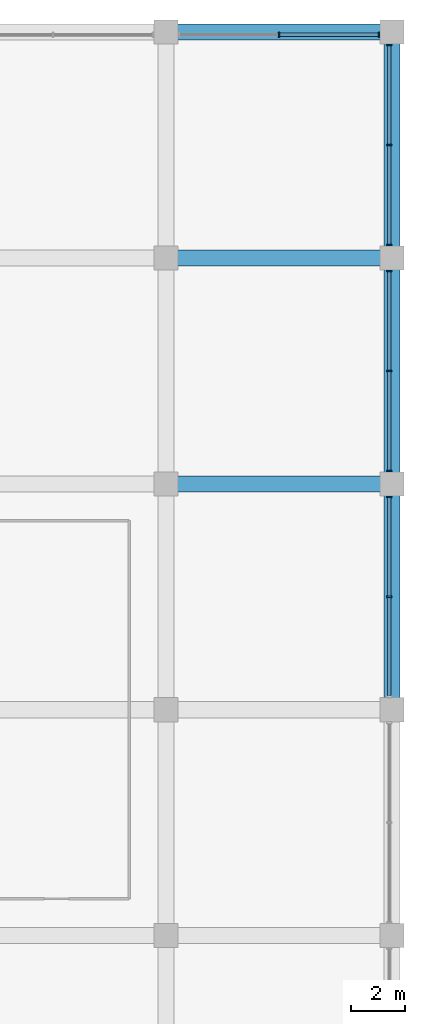
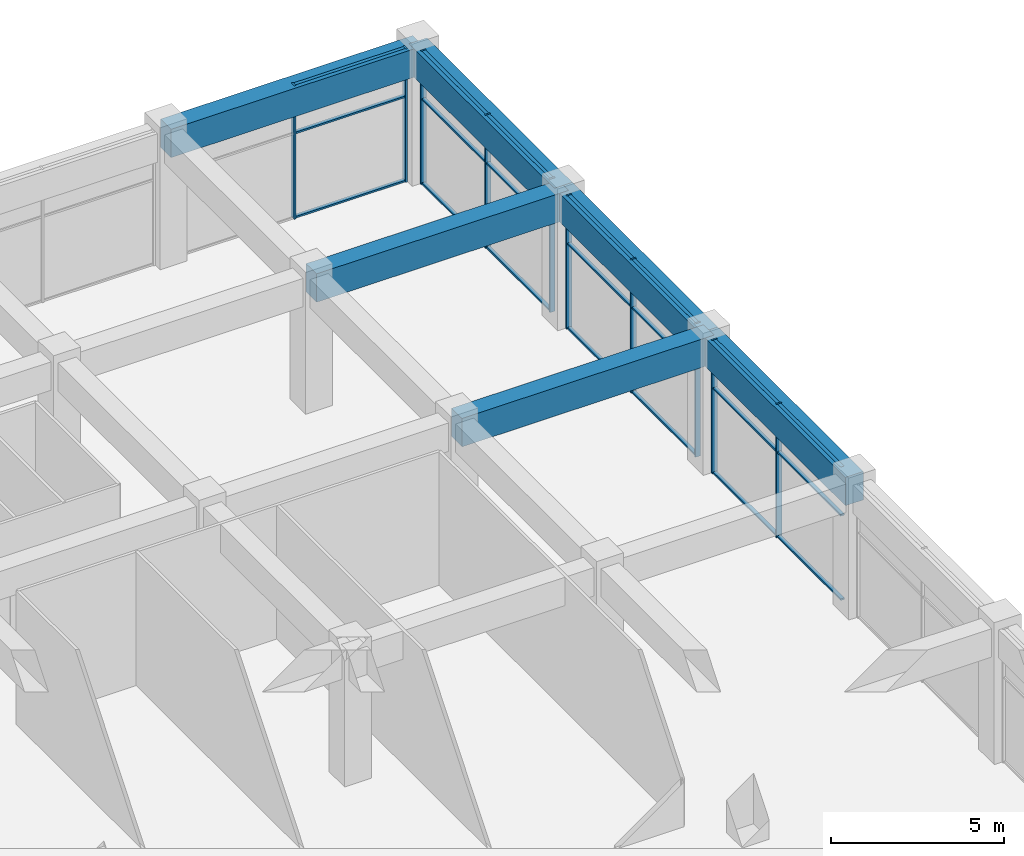
# One storey, part 23 of 36: 31 members, 6 beams, 4 elements without a shape of their own.
"""IFC4 building model written with IfcOpenShell, lengths in metres."""

import ifcopenshell
import ifcopenshell.guid

model = None  # the IFC model being written
_history = None  # IfcOwnerHistory: only IFC2X3 demands one
_inside = {}  # id of a spatial element -> (the spatial element, [elements in it])
_under = {}  # id of a project, library or spatial element -> (it, [spatial elements below it])
_declared = {}  # id of a project -> (the project, [libraries it declares])
_typed = {}  # id of a type object -> (the type object, [elements of that type])
_made_of = {}  # id of a material, layer set ... -> (it, [elements and type objects made of it])


def new_model(schema):
    """Start an empty IFC model of exactly this schema.

    Asked for "IFC4X3", IfcOpenShell would pick the latest addendum, in which some entities
    have other attributes; the version numbers below select the first issue.
    IFC2X3 requires an IfcOwnerHistory on every rooted entity: one is made here for all.
    """
    global model, _history
    if schema == "IFC4X3":
        model = ifcopenshell.file(schema_version=(4, 3, 0, 0))
    else:
        model = ifcopenshell.file(schema=schema)
    _inside.clear()
    _under.clear()
    _declared.clear()
    _typed.clear()
    _made_of.clear()
    _history = None
    if model.schema == "IFC2X3":
        org = make("IfcOrganization", Name="unknown")
        user = make(
            "IfcPersonAndOrganization",
            ThePerson=make("IfcPerson", FamilyName="unknown"),
            TheOrganization=org,
        )
        app = make(
            "IfcApplication",
            ApplicationDeveloper=org,
            Version="unknown",
            ApplicationFullName="unknown",
            ApplicationIdentifier="unknown",
        )
        _history = make(
            "IfcOwnerHistory",
            OwningUser=user,
            OwningApplication=app,
            ChangeAction="ADDED",
            CreationDate=0,
        )
    return model


def make(cls, **values):
    """One entity of the class cls with the attributes given. An attribute that is None is left unset."""
    return model.create_entity(
        cls, **{name: value for name, value in values.items() if value is not None}
    )


def rooted(cls, **values):
    """An entity with a GlobalId (a new one), such as an element, a storey or a relation."""
    return make(cls, GlobalId=ifcopenshell.guid.new(), OwnerHistory=_history, **values)


def si_unit(unit_type, name, prefix=None):
    """IfcSIUnit, for example si_unit("LENGTHUNIT", "METRE", prefix="MILLI")."""
    return make("IfcSIUnit", UnitType=unit_type, Prefix=prefix, Name=name)


def assignment(units):
    """IfcUnitAssignment: the units of a project."""
    return None if units is None else make("IfcUnitAssignment", Units=units)


def point(xyz):
    """IfcCartesianPoint."""
    return None if xyz is None else make("IfcCartesianPoint", Coordinates=xyz)


def direction(xyz):
    """IfcDirection."""
    return None if xyz is None else make("IfcDirection", DirectionRatios=xyz)


def frame(location, z_axis=None, x_axis=None):
    """IfcAxis2Placement3D, a coordinate frame: its origin and axes. An axis left out is left unset."""
    return make(
        "IfcAxis2Placement3D",
        Location=point(location),
        Axis=direction(z_axis),
        RefDirection=direction(x_axis),
    )


def frame_2d(location, x_axis=None):
    """IfcAxis2Placement2D, a coordinate frame in the plane: its origin and x axis."""
    return make(
        "IfcAxis2Placement2D", Location=point(location), RefDirection=direction(x_axis)
    )


def origin():
    """The frame at (0, 0, 0) with its axes left unset."""
    return frame((0.0, 0.0, 0.0))


def origin_2d():
    """The frame at (0, 0) in the plane with its x axis left unset."""
    return frame_2d((0.0, 0.0))


def place(relative_to, where):
    """IfcLocalPlacement: puts the frame where relative to a parent placement (None: the world)."""
    return make(
        "IfcLocalPlacement", PlacementRelTo=relative_to, RelativePlacement=where
    )


def context(
    kind, dimensions, precision=None, world=None, true_north=None, identifier=None
):
    """IfcGeometricRepresentationContext, for example the 3D "Model" context."""
    return make(
        "IfcGeometricRepresentationContext",
        ContextIdentifier=identifier,
        ContextType=kind,
        CoordinateSpaceDimension=dimensions,
        Precision=precision,
        WorldCoordinateSystem=world,
        TrueNorth=true_north,
    )


def subcontext(parent, identifier, kind, view, scale=None):
    """IfcGeometricRepresentationSubContext, for example "Body" below "Model"."""
    return make(
        "IfcGeometricRepresentationSubContext",
        ContextIdentifier=identifier,
        ContextType=kind,
        ParentContext=parent,
        TargetScale=scale,
        TargetView=view,
    )


def project(units=None, contexts=None):
    """IfcProject with its units and contexts."""
    return rooted(
        "IfcProject",
        Name="project",
        RepresentationContexts=contexts,
        UnitsInContext=assignment(units),
    )


def spatial(cls, under=None, at=None, **own):
    """A site, building, storey or space (cls), placed at a placement, below another one or the project."""
    s = rooted(cls, ObjectPlacement=at, **own)
    if under is not None:
        _under.setdefault(under.id(), (under, []))[1].append(s)
    return s


def profile(cls, at=None, kind="AREA", **sizes):
    """A parametric profile (cls). Its sizes go by their IFC names, for example OverallWidth=200.0."""
    return make(cls, ProfileType=kind, Position=at, **sizes)


def rectangle(**sizes):
    """IfcRectangleProfileDef."""
    return profile("IfcRectangleProfileDef", **sizes)


def extrude(swept, where, along, depth):
    """IfcExtrudedAreaSolid: the profile swept, set in the frame where, extruded along a direction by depth."""
    return make(
        "IfcExtrudedAreaSolid",
        SweptArea=swept,
        Position=where,
        ExtrudedDirection=direction(along),
        Depth=depth,
    )


def shape(context_of_items, identifier, shape_type, items):
    """IfcShapeRepresentation: the items that make up one representation, for example the "Body"."""
    return make(
        "IfcShapeRepresentation",
        ContextOfItems=context_of_items,
        RepresentationIdentifier=identifier,
        RepresentationType=shape_type,
        Items=items,
    )


def material(Name=None, Category=None):
    """IfcMaterial."""
    return make("IfcMaterial", Name=Name, Category=Category)


def material_profile(
    of_material, cross_section, Name=None, Category=None, Priority=None
):
    """IfcMaterialProfile: a cross section and its material."""
    return make(
        "IfcMaterialProfile",
        Name=Name,
        Material=of_material,
        Profile=cross_section,
        Priority=Priority,
        Category=Category,
    )


def profile_set(profiles, Name=None, composite=None):
    """IfcMaterialProfileSet."""
    return make(
        "IfcMaterialProfileSet",
        Name=Name,
        MaterialProfiles=profiles,
        CompositeProfile=composite,
    )


def made_of(thing, what):
    """Note that an element or type object is made of a material, layer set ...; save() writes the relation."""
    if what is not None:
        _made_of.setdefault(what.id(), (what, []))[1].append(thing)
    return thing


def type_object(cls, material=None, **own):
    """A type object (cls), such as IfcWallType, which elements share."""
    return made_of(rooted(cls, **own), material)


def element(
    cls,
    number,
    at=None,
    inside=None,
    cuts=None,
    type_object=None,
    material=None,
    context=None,
    identifier="Body",
    shape_type=None,
    held_by="IfcProductDefinitionShape",
    body=None,
    shapes=None,
    **own,
):
    """One element of the class cls, such as IfcWall. Its Tag is "e" and its number.

    at: its placement. inside: the storey or other place that contains it. cuts: it is an
    opening in that element (IfcRelVoidsElement). A single representation is given by context,
    identifier, shape_type and body (its items); several are given by shapes. held_by: the class
    of the entity that holds the representations. save() writes the other relations.
    """
    e = rooted(cls, Tag="e%d" % number, ObjectPlacement=at, **own)
    if body is not None:
        shapes = [shape(context, identifier, shape_type, body)]
    if shapes is not None:
        e.Representation = make(held_by, Representations=shapes)
    if inside is not None:
        _inside.setdefault(inside.id(), (inside, []))[1].append(e)
    if cuts is not None:
        rooted(
            "IfcRelVoidsElement", RelatingBuildingElement=cuts, RelatedOpeningElement=e
        )
    if type_object is not None:
        _typed.setdefault(type_object.id(), (type_object, []))[1].append(e)
    return made_of(e, material)


def aggregate(whole, parts):
    """IfcRelAggregates: a whole, such as a stair, and the parts it consists of."""
    return rooted("IfcRelAggregates", RelatingObject=whole, RelatedObjects=parts)


def save(model, path):
    """Write the relations noted so far, then the file.

    IfcRelAggregates (storeys below a building ...), IfcRelContainedInSpatialStructure (elements
    in a storey), IfcRelDefinesByType, IfcRelAssociatesMaterial and IfcRelDeclares: one each for
    every whole, place, type object, material and project.
    """
    for whole, parts in _under.values():
        aggregate(whole, parts)
    for where, things in _inside.values():
        rooted(
            "IfcRelContainedInSpatialStructure",
            RelatedElements=things,
            RelatingStructure=where,
        )
    for kind, things in _typed.values():
        rooted("IfcRelDefinesByType", RelatedObjects=things, RelatingType=kind)
    for what, things in _made_of.values():
        rooted("IfcRelAssociatesMaterial", RelatedObjects=things, RelatingMaterial=what)
    for by, libraries in _declared.values():
        rooted("IfcRelDeclares", RelatingContext=by, RelatedDefinitions=libraries)
    model.write(path)


model = new_model("IFC4")

# Units and contexts
model_context = context("Model", 3, precision=1e-05, world=origin(), true_north=direction((0.0, 1.0)))
body_context = subcontext(model_context, "Body", "Model", "MODEL_VIEW")
ifc_project = project(units=[si_unit("LENGTHUNIT", "METRE"), si_unit("AREAUNIT", "SQUARE_METRE"), si_unit("VOLUMEUNIT", "CUBIC_METRE"), si_unit("PLANEANGLEUNIT", "RADIAN"), si_unit("MASSUNIT", "GRAM", prefix="KILO")], contexts=[model_context])

# Site, building, storey
site_placement = place(None, origin())
site = spatial("IfcSite", under=ifc_project, at=site_placement, CompositionType="ELEMENT")
building_placement = place(site_placement, origin())
building = spatial("IfcBuilding", under=site, at=building_placement, Name="Impinga Residences", CompositionType="ELEMENT")
storey_placement = place(building_placement, frame((0.0, 0.0, 6.0)))
storey = spatial("IfcBuildingStorey", under=building, at=storey_placement, Name="L01", CompositionType="ELEMENT", Elevation=6.0)

# Curtain wall, members
ifc_material_1 = material(Name="Aluminium stick curtain wall", Category="aluminium")
curtain_wall_type = type_object("IfcCurtainWallType", Name="CW1 podium amenity curtain wall", PredefinedType="USERDEFINED", material=ifc_material_1)
curtain_wall_1_placement = place(storey_placement, origin())
curtain_wall_1 = element("IfcCurtainWall", 1, at=curtain_wall_1_placement, inside=storey, type_object=curtain_wall_type, Name="Curtain wall CW1 L01", ObjectType="STICK CURTAIN WALL", PredefinedType="USERDEFINED")
ifc_material_2 = material(Name="Aluminium mullion", Category="aluminium")
ifc_material_profile_1 = material_profile(ifc_material_2, rectangle(XDim=0.06005859375, YDim=0.179931640625, at=origin_2d()), Name="60x180 mullion")
ifc_profile_set_1 = profile_set([ifc_material_profile_1], Name="Aluminium mullion")
member_type_1 = type_object("IfcMemberType", Name="CW1-M mullion 60x180", PredefinedType="MULLION", material=ifc_profile_set_1)
member_1_placement = place(storey_placement, frame((46.199951171875, 50.300048828125, 0.0), z_axis=(0.0, 0.0, 1.0), x_axis=(1.0, 0.0, 0.0)))
member_1 = element("IfcMember", 2, at=member_1_placement, type_object=member_type_1, Name="CW1 mullion 2", PredefinedType="MULLION", context=body_context, shape_type="SweptSolid", body=[
    extrude(rectangle(XDim=0.06005859375, YDim=0.179931640625, at=origin_2d()), origin(), (0.0, 0.0, 1.0), 4.699951171875),
])
member_2_placement = place(storey_placement, frame((49.9169921875, 50.300048828125, 0.0), z_axis=(0.0, 0.0, 1.0), x_axis=(1.0, 0.0, 0.0)))
member_2 = element("IfcMember", 3, at=member_2_placement, type_object=member_type_1, Name="CW1 mullion 3", PredefinedType="MULLION", context=body_context, shape_type="SweptSolid", body=[
    extrude(rectangle(XDim=0.06005859375, YDim=0.179931640625, at=origin_2d()), origin(), (0.0, 0.0, 1.0), 4.699951171875),
])

curtain_wall_2_placement = place(storey_placement, origin())
curtain_wall_2 = element("IfcCurtainWall", 4, at=curtain_wall_2_placement, inside=storey, type_object=curtain_wall_type, Name="Curtain wall CW1 L01", ObjectType="STICK CURTAIN WALL", PredefinedType="USERDEFINED")
member_3_placement = place(storey_placement, frame((50.300048828125, 49.9169921875, 0.0), z_axis=(0.0, 0.0, 1.0), x_axis=(0.0, -1.0, 0.0)))
member_3 = element("IfcMember", 5, at=member_3_placement, type_object=member_type_1, Name="CW1 mullion 1", PredefinedType="MULLION", context=body_context, shape_type="SweptSolid", body=[
    extrude(rectangle(XDim=0.06005859375, YDim=0.179931640625, at=origin_2d()), origin(), (0.0, 0.0, 1.0), 4.699951171875),
])
member_4_placement = place(storey_placement, frame((50.300048828125, 46.199951171875, 0.0), z_axis=(0.0, 0.0, 1.0), x_axis=(0.0, -1.0, 0.0)))
member_4 = element("IfcMember", 6, at=member_4_placement, type_object=member_type_1, Name="CW1 mullion 2", PredefinedType="MULLION", context=body_context, shape_type="SweptSolid", body=[
    extrude(rectangle(XDim=0.06005859375, YDim=0.179931640625, at=origin_2d()), origin(), (0.0, 0.0, 1.0), 4.699951171875),
])
member_5_placement = place(storey_placement, frame((50.300048828125, 42.48291015625, 0.0), z_axis=(0.0, 0.0, 1.0), x_axis=(0.0, -1.0, 0.0)))
member_5 = element("IfcMember", 7, at=member_5_placement, type_object=member_type_1, Name="CW1 mullion 3", PredefinedType="MULLION", context=body_context, shape_type="SweptSolid", body=[
    extrude(rectangle(XDim=0.06005859375, YDim=0.179931640625, at=origin_2d()), origin(), (0.0, 0.0, 1.0), 4.699951171875),
])

curtain_wall_3_placement = place(storey_placement, origin())
curtain_wall_3 = element("IfcCurtainWall", 8, at=curtain_wall_3_placement, inside=storey, type_object=curtain_wall_type, Name="Curtain wall CW1 L01", ObjectType="STICK CURTAIN WALL", PredefinedType="USERDEFINED")
member_6_placement = place(storey_placement, frame((50.300048828125, 41.51708984375, 0.0), z_axis=(0.0, 0.0, 1.0), x_axis=(0.0, -1.0, 0.0)))
member_6 = element("IfcMember", 9, at=member_6_placement, type_object=member_type_1, Name="CW1 mullion 1", PredefinedType="MULLION", context=body_context, shape_type="SweptSolid", body=[
    extrude(rectangle(XDim=0.06005859375, YDim=0.179931640625, at=origin_2d()), origin(), (0.0, 0.0, 1.0), 4.699951171875),
])
member_7_placement = place(storey_placement, frame((50.300048828125, 37.800048828125, 0.0), z_axis=(0.0, 0.0, 1.0), x_axis=(0.0, -1.0, 0.0)))
member_7 = element("IfcMember", 10, at=member_7_placement, type_object=member_type_1, Name="CW1 mullion 2", PredefinedType="MULLION", context=body_context, shape_type="SweptSolid", body=[
    extrude(rectangle(XDim=0.06005859375, YDim=0.179931640625, at=origin_2d()), origin(), (0.0, 0.0, 1.0), 4.699951171875),
])
member_8_placement = place(storey_placement, frame((50.300048828125, 34.0830078125, 0.0), z_axis=(0.0, 0.0, 1.0), x_axis=(0.0, -1.0, 0.0)))
member_8 = element("IfcMember", 11, at=member_8_placement, type_object=member_type_1, Name="CW1 mullion 3", PredefinedType="MULLION", context=body_context, shape_type="SweptSolid", body=[
    extrude(rectangle(XDim=0.06005859375, YDim=0.179931640625, at=origin_2d()), origin(), (0.0, 0.0, 1.0), 4.699951171875),
])

curtain_wall_4_placement = place(storey_placement, origin())
curtain_wall_4 = element("IfcCurtainWall", 12, at=curtain_wall_4_placement, inside=storey, type_object=curtain_wall_type, Name="Curtain wall CW1 L01", ObjectType="STICK CURTAIN WALL", PredefinedType="USERDEFINED")
member_9_placement = place(storey_placement, frame((50.300048828125, 33.116943359375, 0.0), z_axis=(0.0, 0.0, 1.0), x_axis=(0.0, -1.0, 0.0)))
member_9 = element("IfcMember", 13, at=member_9_placement, type_object=member_type_1, Name="CW1 mullion 1", PredefinedType="MULLION", context=body_context, shape_type="SweptSolid", body=[
    extrude(rectangle(XDim=0.06005859375, YDim=0.179931640625, at=origin_2d()), origin(), (0.0, 0.0, 1.0), 4.699951171875),
])
member_10_placement = place(storey_placement, frame((50.300048828125, 29.39990234375, 0.0), z_axis=(0.0, 0.0, 1.0), x_axis=(0.0, -1.0, 0.0)))
member_10 = element("IfcMember", 14, at=member_10_placement, type_object=member_type_1, Name="CW1 mullion 2", PredefinedType="MULLION", context=body_context, shape_type="SweptSolid", body=[
    extrude(rectangle(XDim=0.06005859375, YDim=0.179931640625, at=origin_2d()), origin(), (0.0, 0.0, 1.0), 4.699951171875),
])

# Member
ifc_material_3 = material(Name="Aluminium transom", Category="aluminium")
ifc_material_profile_2 = material_profile(ifc_material_3, rectangle(XDim=0.06005859375, YDim=0.1201171875, at=origin_2d()), Name="60x120 transom")
ifc_profile_set_2 = profile_set([ifc_material_profile_2], Name="Aluminium transom")
member_type_2 = type_object("IfcMemberType", Name="CW1-T transom 60x120", PredefinedType="USERDEFINED", material=ifc_profile_set_2)
member_11_placement = place(storey_placement, frame((46.22998046875, 50.300048828125, 0.030029296875), z_axis=(1.0, 0.0, 0.0), x_axis=(0.0, 0.0, 1.0)))
member_11 = element("IfcMember", 15, at=member_11_placement, type_object=member_type_2, Name="CW1 transom 2.1", ObjectType="TRANSOM", PredefinedType="USERDEFINED", context=body_context, shape_type="SweptSolid", body=[
    extrude(rectangle(XDim=0.06005859375, YDim=0.1201171875, at=origin_2d()), origin(), (0.0, 0.0, 1.0), 3.656982421875),
])

member_12_placement = place(storey_placement, frame((46.22998046875, 50.300048828125, 3.0), z_axis=(1.0, 0.0, 0.0), x_axis=(0.0, 0.0, 1.0)))
member_12 = element("IfcMember", 16, at=member_12_placement, type_object=member_type_2, Name="CW1 transom 2.2", ObjectType="TRANSOM", PredefinedType="USERDEFINED", context=body_context, shape_type="SweptSolid", body=[
    extrude(rectangle(XDim=0.06005859375, YDim=0.1201171875, at=origin_2d()), origin(), (0.0, 0.0, 1.0), 3.656982421875),
])

member_13_placement = place(storey_placement, frame((46.22998046875, 50.300048828125, 4.669921875), z_axis=(1.0, 0.0, 0.0), x_axis=(0.0, 0.0, 1.0)))
member_13 = element("IfcMember", 17, at=member_13_placement, type_object=member_type_2, Name="CW1 transom 2.3", ObjectType="TRANSOM", PredefinedType="USERDEFINED", context=body_context, shape_type="SweptSolid", body=[
    extrude(rectangle(XDim=0.06005859375, YDim=0.1201171875, at=origin_2d()), origin(), (0.0, 0.0, 1.0), 3.656982421875),
])

aggregate(curtain_wall_1, [member_1, member_2, member_11, member_12, member_13])

member_14_placement = place(storey_placement, frame((50.300048828125, 49.886962890625, 0.030029296875), z_axis=(0.0, -1.0, 0.0), x_axis=(0.0, 0.0, 1.0)))
member_14 = element("IfcMember", 18, at=member_14_placement, type_object=member_type_2, Name="CW1 transom 1.1", ObjectType="TRANSOM", PredefinedType="USERDEFINED", context=body_context, shape_type="SweptSolid", body=[
    extrude(rectangle(XDim=0.06005859375, YDim=0.1201171875, at=origin_2d()), origin(), (0.0, 0.0, 1.0), 3.656982421875),
])

member_15_placement = place(storey_placement, frame((50.300048828125, 49.886962890625, 3.0), z_axis=(0.0, -1.0, 0.0), x_axis=(0.0, 0.0, 1.0)))
member_15 = element("IfcMember", 19, at=member_15_placement, type_object=member_type_2, Name="CW1 transom 1.2", ObjectType="TRANSOM", PredefinedType="USERDEFINED", context=body_context, shape_type="SweptSolid", body=[
    extrude(rectangle(XDim=0.06005859375, YDim=0.1201171875, at=origin_2d()), origin(), (0.0, 0.0, 1.0), 3.656982421875),
])

member_16_placement = place(storey_placement, frame((50.300048828125, 49.886962890625, 4.669921875), z_axis=(0.0, -1.0, 0.0), x_axis=(0.0, 0.0, 1.0)))
member_16 = element("IfcMember", 20, at=member_16_placement, type_object=member_type_2, Name="CW1 transom 1.3", ObjectType="TRANSOM", PredefinedType="USERDEFINED", context=body_context, shape_type="SweptSolid", body=[
    extrude(rectangle(XDim=0.06005859375, YDim=0.1201171875, at=origin_2d()), origin(), (0.0, 0.0, 1.0), 3.656982421875),
])

member_17_placement = place(storey_placement, frame((50.300048828125, 46.169921875, 0.030029296875), z_axis=(0.0, -1.0, 0.0), x_axis=(0.0, 0.0, 1.0)))
member_17 = element("IfcMember", 21, at=member_17_placement, type_object=member_type_2, Name="CW1 transom 2.1", ObjectType="TRANSOM", PredefinedType="USERDEFINED", context=body_context, shape_type="SweptSolid", body=[
    extrude(rectangle(XDim=0.06005859375, YDim=0.1201171875, at=origin_2d()), origin(), (0.0, 0.0, 1.0), 3.656982421875),
])

member_18_placement = place(storey_placement, frame((50.300048828125, 46.169921875, 3.0), z_axis=(0.0, -1.0, 0.0), x_axis=(0.0, 0.0, 1.0)))
member_18 = element("IfcMember", 22, at=member_18_placement, type_object=member_type_2, Name="CW1 transom 2.2", ObjectType="TRANSOM", PredefinedType="USERDEFINED", context=body_context, shape_type="SweptSolid", body=[
    extrude(rectangle(XDim=0.06005859375, YDim=0.1201171875, at=origin_2d()), origin(), (0.0, 0.0, 1.0), 3.656982421875),
])

member_19_placement = place(storey_placement, frame((50.300048828125, 46.169921875, 4.669921875), z_axis=(0.0, -1.0, 0.0), x_axis=(0.0, 0.0, 1.0)))
member_19 = element("IfcMember", 23, at=member_19_placement, type_object=member_type_2, Name="CW1 transom 2.3", ObjectType="TRANSOM", PredefinedType="USERDEFINED", context=body_context, shape_type="SweptSolid", body=[
    extrude(rectangle(XDim=0.06005859375, YDim=0.1201171875, at=origin_2d()), origin(), (0.0, 0.0, 1.0), 3.656982421875),
])

aggregate(curtain_wall_2, [member_3, member_4, member_5, member_14, member_15, member_16, member_17, member_18, member_19])

member_20_placement = place(storey_placement, frame((50.300048828125, 41.487060546875, 0.030029296875), z_axis=(0.0, -1.0, 0.0), x_axis=(0.0, 0.0, 1.0)))
member_20 = element("IfcMember", 24, at=member_20_placement, type_object=member_type_2, Name="CW1 transom 1.1", ObjectType="TRANSOM", PredefinedType="USERDEFINED", context=body_context, shape_type="SweptSolid", body=[
    extrude(rectangle(XDim=0.06005859375, YDim=0.1201171875, at=origin_2d()), origin(), (0.0, 0.0, 1.0), 3.656982421875),
])

member_21_placement = place(storey_placement, frame((50.300048828125, 41.487060546875, 3.0), z_axis=(0.0, -1.0, 0.0), x_axis=(0.0, 0.0, 1.0)))
member_21 = element("IfcMember", 25, at=member_21_placement, type_object=member_type_2, Name="CW1 transom 1.2", ObjectType="TRANSOM", PredefinedType="USERDEFINED", context=body_context, shape_type="SweptSolid", body=[
    extrude(rectangle(XDim=0.06005859375, YDim=0.1201171875, at=origin_2d()), origin(), (0.0, 0.0, 1.0), 3.656982421875),
])

member_22_placement = place(storey_placement, frame((50.300048828125, 41.487060546875, 4.669921875), z_axis=(0.0, -1.0, 0.0), x_axis=(0.0, 0.0, 1.0)))
member_22 = element("IfcMember", 26, at=member_22_placement, type_object=member_type_2, Name="CW1 transom 1.3", ObjectType="TRANSOM", PredefinedType="USERDEFINED", context=body_context, shape_type="SweptSolid", body=[
    extrude(rectangle(XDim=0.06005859375, YDim=0.1201171875, at=origin_2d()), origin(), (0.0, 0.0, 1.0), 3.656982421875),
])

member_23_placement = place(storey_placement, frame((50.300048828125, 37.77001953125, 0.030029296875), z_axis=(0.0, -1.0, 0.0), x_axis=(0.0, 0.0, 1.0)))
member_23 = element("IfcMember", 27, at=member_23_placement, type_object=member_type_2, Name="CW1 transom 2.1", ObjectType="TRANSOM", PredefinedType="USERDEFINED", context=body_context, shape_type="SweptSolid", body=[
    extrude(rectangle(XDim=0.06005859375, YDim=0.1201171875, at=origin_2d()), origin(), (0.0, 0.0, 1.0), 3.656982421875),
])

member_24_placement = place(storey_placement, frame((50.300048828125, 37.77001953125, 3.0), z_axis=(0.0, -1.0, 0.0), x_axis=(0.0, 0.0, 1.0)))
member_24 = element("IfcMember", 28, at=member_24_placement, type_object=member_type_2, Name="CW1 transom 2.2", ObjectType="TRANSOM", PredefinedType="USERDEFINED", context=body_context, shape_type="SweptSolid", body=[
    extrude(rectangle(XDim=0.06005859375, YDim=0.1201171875, at=origin_2d()), origin(), (0.0, 0.0, 1.0), 3.656982421875),
])

member_25_placement = place(storey_placement, frame((50.300048828125, 37.77001953125, 4.669921875), z_axis=(0.0, -1.0, 0.0), x_axis=(0.0, 0.0, 1.0)))
member_25 = element("IfcMember", 29, at=member_25_placement, type_object=member_type_2, Name="CW1 transom 2.3", ObjectType="TRANSOM", PredefinedType="USERDEFINED", context=body_context, shape_type="SweptSolid", body=[
    extrude(rectangle(XDim=0.06005859375, YDim=0.1201171875, at=origin_2d()), origin(), (0.0, 0.0, 1.0), 3.656982421875),
])

aggregate(curtain_wall_3, [member_6, member_7, member_8, member_20, member_21, member_22, member_23, member_24, member_25])

member_26_placement = place(storey_placement, frame((50.300048828125, 33.0869140625, 0.030029296875), z_axis=(0.0, -1.0, 0.0), x_axis=(0.0, 0.0, 1.0)))
member_26 = element("IfcMember", 30, at=member_26_placement, type_object=member_type_2, Name="CW1 transom 1.1", ObjectType="TRANSOM", PredefinedType="USERDEFINED", context=body_context, shape_type="SweptSolid", body=[
    extrude(rectangle(XDim=0.06005859375, YDim=0.1201171875, at=origin_2d()), origin(), (0.0, 0.0, 1.0), 3.656982421875),
])

member_27_placement = place(storey_placement, frame((50.300048828125, 33.0869140625, 3.0), z_axis=(0.0, -1.0, 0.0), x_axis=(0.0, 0.0, 1.0)))
member_27 = element("IfcMember", 31, at=member_27_placement, type_object=member_type_2, Name="CW1 transom 1.2", ObjectType="TRANSOM", PredefinedType="USERDEFINED", context=body_context, shape_type="SweptSolid", body=[
    extrude(rectangle(XDim=0.06005859375, YDim=0.1201171875, at=origin_2d()), origin(), (0.0, 0.0, 1.0), 3.656982421875),
])

member_28_placement = place(storey_placement, frame((50.300048828125, 33.0869140625, 4.669921875), z_axis=(0.0, -1.0, 0.0), x_axis=(0.0, 0.0, 1.0)))
member_28 = element("IfcMember", 32, at=member_28_placement, type_object=member_type_2, Name="CW1 transom 1.3", ObjectType="TRANSOM", PredefinedType="USERDEFINED", context=body_context, shape_type="SweptSolid", body=[
    extrude(rectangle(XDim=0.06005859375, YDim=0.1201171875, at=origin_2d()), origin(), (0.0, 0.0, 1.0), 3.656982421875),
])

member_29_placement = place(storey_placement, frame((50.300048828125, 29.3701171875, 0.030029296875), z_axis=(0.0, -1.0, 0.0), x_axis=(0.0, 0.0, 1.0)))
member_29 = element("IfcMember", 33, at=member_29_placement, type_object=member_type_2, Name="CW1 transom 2.1", ObjectType="TRANSOM", PredefinedType="USERDEFINED", context=body_context, shape_type="SweptSolid", body=[
    extrude(rectangle(XDim=0.06005859375, YDim=0.1201171875, at=origin_2d()), origin(), (0.0, 0.0, 1.0), 3.6572265625),
])

member_30_placement = place(storey_placement, frame((50.300048828125, 29.3701171875, 3.0), z_axis=(0.0, -1.0, 0.0), x_axis=(0.0, 0.0, 1.0)))
member_30 = element("IfcMember", 34, at=member_30_placement, type_object=member_type_2, Name="CW1 transom 2.2", ObjectType="TRANSOM", PredefinedType="USERDEFINED", context=body_context, shape_type="SweptSolid", body=[
    extrude(rectangle(XDim=0.06005859375, YDim=0.1201171875, at=origin_2d()), origin(), (0.0, 0.0, 1.0), 3.6572265625),
])

member_31_placement = place(storey_placement, frame((50.300048828125, 29.3701171875, 4.669921875), z_axis=(0.0, -1.0, 0.0), x_axis=(0.0, 0.0, 1.0)))
member_31 = element("IfcMember", 35, at=member_31_placement, type_object=member_type_2, Name="CW1 transom 2.3", ObjectType="TRANSOM", PredefinedType="USERDEFINED", context=body_context, shape_type="SweptSolid", body=[
    extrude(rectangle(XDim=0.06005859375, YDim=0.1201171875, at=origin_2d()), origin(), (0.0, 0.0, 1.0), 3.6572265625),
])

aggregate(curtain_wall_4, [member_9, member_10, member_26, member_27, member_28, member_29, member_30, member_31])

# Beams
ifc_material_4 = material(Name="Concrete C60/75", Category="concrete")
ifc_material_profile_3 = material_profile(ifc_material_4, rectangle(XDim=0.60009765625, YDim=1.0, at=origin_2d()), Name="RC 600x1000")
ifc_profile_set_3 = profile_set([ifc_material_profile_3], Name="Concrete C60/75")
beam_type = type_object("IfcBeamType", Name="PB2 600x1000 podium beam", PredefinedType="BEAM", material=ifc_profile_set_3)
for number, where, z_axis, x_axis, name in (
    (36, (42.0, 33.60009765625, 4.199951171875), (1.0, 0.0, 0.0), (0.0, 1.0, 0.0), "Beam PB2 K/12-13 level L02"),
    (37, (42.0, 42.0, 4.199951171875), (1.0, 0.0, 0.0), (0.0, 1.0, 0.0), "Beam PB2 L/12-13 level L02"),
    (38, (42.0, 50.39990234375, 4.199951171875), (1.0, 0.0, 0.0), (0.0, 1.0, 0.0), "Beam PB2 M/12-13 level L02"),
):
    element("IfcBeam", number, at=place(storey_placement, frame(where, z_axis=z_axis, x_axis=x_axis)), inside=storey, type_object=beam_type, Name=name, PredefinedType="BEAM", context=body_context, shape_type="SweptSolid", body=[
        extrude(rectangle(XDim=0.60009765625, YDim=1.0, at=origin_2d()), origin(), (0.0, 0.0, 1.0), 8.39990234375),
    ])
beam_placement = place(storey_placement, frame((50.39990234375, 25.199951171875, 4.199951171875), z_axis=(0.0, 1.0, 0.0), x_axis=(-1.0, 0.0, 0.0)))
element("IfcBeam", 39, at=beam_placement, inside=storey, type_object=beam_type, Name="Beam PB2 13/J-K level L02", PredefinedType="BEAM", context=body_context, shape_type="SweptSolid", body=[
    extrude(rectangle(XDim=0.60009765625, YDim=1.0, at=origin_2d()), origin(), (0.0, 0.0, 1.0), 8.400146484375),
])
for number, where, z_axis, x_axis, name in (
    (40, (50.39990234375, 33.60009765625, 4.199951171875), (0.0, 1.0, 0.0), (-1.0, 0.0, 0.0), "Beam PB2 13/K-L level L02"),
    (41, (50.39990234375, 42.0, 4.199951171875), (0.0, 1.0, 0.0), (-1.0, 0.0, 0.0), "Beam PB2 13/L-M level L02"),
):
    element("IfcBeam", number, at=place(storey_placement, frame(where, z_axis=z_axis, x_axis=x_axis)), inside=storey, type_object=beam_type, Name=name, PredefinedType="BEAM", context=body_context, shape_type="SweptSolid", body=[
        extrude(rectangle(XDim=0.60009765625, YDim=1.0, at=origin_2d()), origin(), (0.0, 0.0, 1.0), 8.39990234375),
    ])

save(model, "model.ifc")
